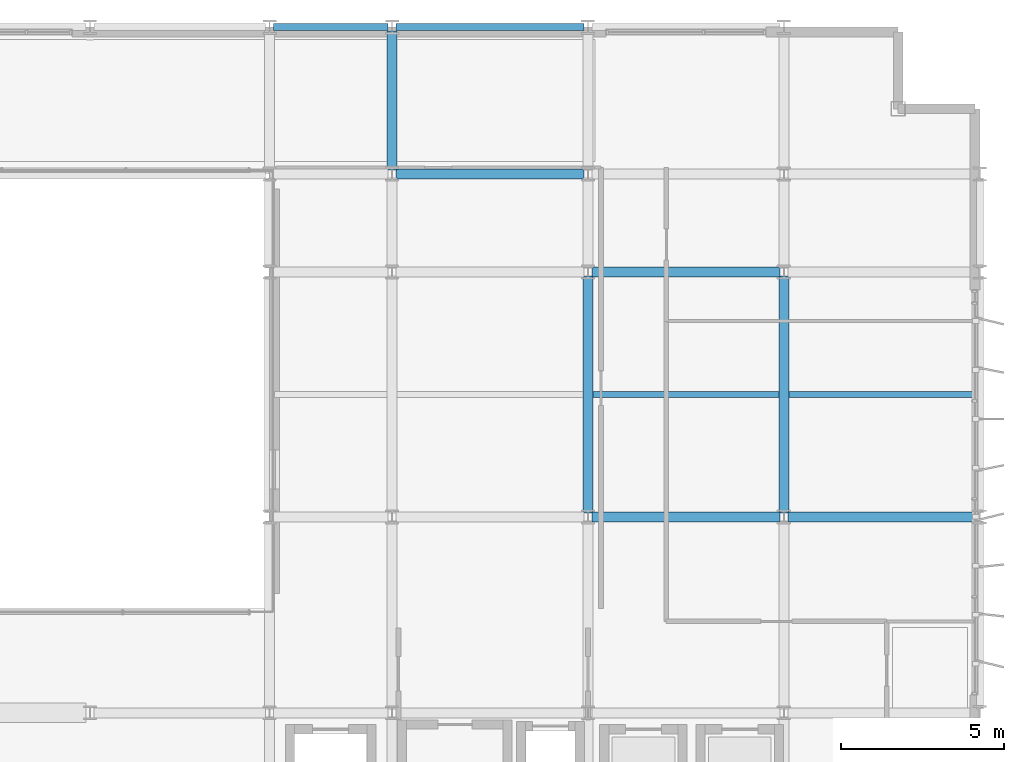
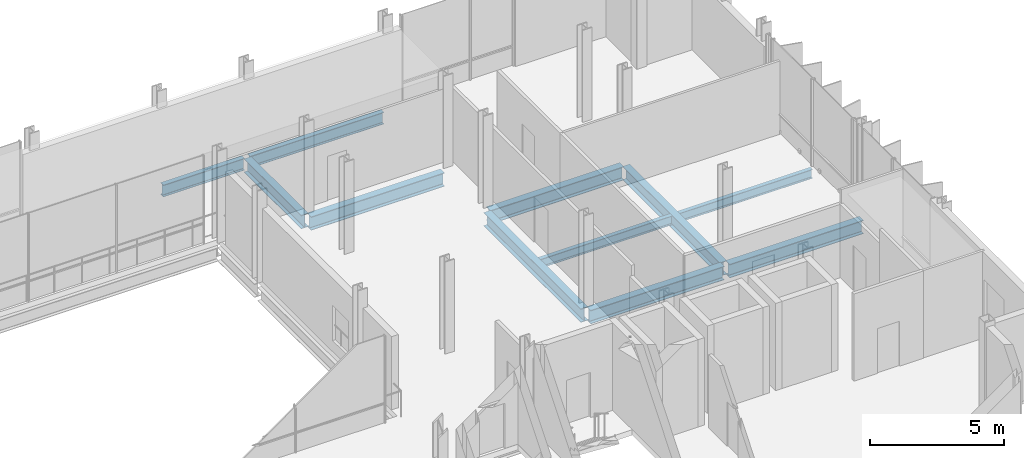
# One storey, part 18 of 32: 11 beams.
"""IFC4 building model written with IfcOpenShell, lengths in metres."""

from ifc_helpers import new_model, si_unit, direction, frame, origin, origin_2d, place, context, subcontext, project, spatial, i_section, extrude, material, material_profile, profile_set, type_object, element, save


model = new_model("IFC4")

# Units and contexts
model_context = context("Model", 3, precision=1e-05, world=origin(), true_north=direction((0.0, 1.0)))
body_context = subcontext(model_context, "Body", "Model", "MODEL_VIEW")
ifc_project = project(units=[si_unit("LENGTHUNIT", "METRE"), si_unit("AREAUNIT", "SQUARE_METRE"), si_unit("VOLUMEUNIT", "CUBIC_METRE"), si_unit("PLANEANGLEUNIT", "RADIAN"), si_unit("MASSUNIT", "GRAM", prefix="KILO")], contexts=[model_context])

# Site, building, storey
site_placement = place(None, origin())
site = spatial("IfcSite", under=ifc_project, at=site_placement, CompositionType="ELEMENT")
building_placement = place(site_placement, origin())
building = spatial("IfcBuilding", under=site, at=building_placement, Name="Brevholm Reach", CompositionType="ELEMENT")
storey_placement = place(building_placement, frame((0.0, 0.0, 134.5)))
storey = spatial("IfcBuildingStorey", under=building, at=storey_placement, Name="L40", CompositionType="ELEMENT", Elevation=134.5)

# Beams
ifc_material_1 = material(Name="Structural Steel S355J2", Category="steel")
ifc_material_profile_1 = material_profile(ifc_material_1, i_section(OverallWidth=0.177978515625, OverallDepth=0.406494140625, WebThickness=0.0078125, FlangeThickness=0.0126953125, FilletRadius=0.01025390625, at=origin_2d()), Name="UKB 406x178x60")
ifc_profile_set_1 = profile_set([ifc_material_profile_1], Name="Structural Steel S355J2")
beam_type_1 = type_object("IfcBeamType", Name="BM-B406", PredefinedType="BEAM", material=ifc_profile_set_1)
beam_1_placement = place(storey_placement, frame((48.153564453125, 19.75, -0.453125), z_axis=(1.0, 0.0, 0.0), x_axis=(0.0, 1.0, 0.0)))
element("IfcBeam", 1, at=beam_1_placement, inside=storey, type_object=beam_type_1, Name="L40 Composite Secondary Floor Beam", PredefinedType="BEAM", context=body_context, shape_type="SweptSolid", body=[
    extrude(i_section(OverallWidth=0.177978515625, OverallDepth=0.406494140625, WebThickness=0.0078125, FlangeThickness=0.0126953125, FilletRadius=0.01025390625, at=origin_2d()), origin(), (0.0, 0.0, 1.0), 5.69287109375),
])
beam_2_placement = place(storey_placement, frame((54.153564453125, 19.75, -0.453125), z_axis=(1.0, 0.0, 0.0), x_axis=(0.0, 1.0, 0.0)))
element("IfcBeam", 2, at=beam_2_placement, inside=storey, type_object=beam_type_1, Name="L40 Composite Secondary Floor Beam", PredefinedType="BEAM", context=body_context, shape_type="SweptSolid", body=[
    extrude(i_section(OverallWidth=0.177978515625, OverallDepth=0.406494140625, WebThickness=0.0078125, FlangeThickness=0.0126953125, FilletRadius=0.01025390625, at=origin_2d()), origin(), (0.0, 0.0, 1.0), 5.740966796875),
])
ifc_material_2 = material(Name="Structural Steel S355J2", Category="steel")
ifc_material_profile_2 = material_profile(ifc_material_2, i_section(OverallWidth=0.210693359375, OverallDepth=0.53955078125, WebThickness=0.01171875, FlangeThickness=0.018798828125, FilletRadius=0.0126953125, at=origin_2d()), Name="UKB 533x210x109")
ifc_profile_set_2 = profile_set([ifc_material_profile_2], Name="Structural Steel S355J2")
beam_type_2 = type_object("IfcBeamType", Name="BM-SP539", PredefinedType="SPANDREL", material=ifc_profile_set_2)
beam_3_placement = place(storey_placement, frame((38.3701171875, 31.0, -0.519775390625), z_axis=(1.0, 0.0, 0.0), x_axis=(0.0, 1.0, 0.0)))
element("IfcBeam", 3, at=beam_3_placement, inside=storey, type_object=beam_type_2, Name="L40 SP-01B Framing Beam", PredefinedType="SPANDREL", context=body_context, shape_type="SweptSolid", body=[
    extrude(i_section(OverallWidth=0.210693359375, OverallDepth=0.53955078125, WebThickness=0.01171875, FlangeThickness=0.018798828125, FilletRadius=0.0126953125, at=origin_2d()), origin(), (0.0, 0.0, 1.0), 3.509765625),
])
beam_4_placement = place(storey_placement, frame((42.1201171875, 31.0, -0.519775390625), z_axis=(1.0, 0.0, 0.0), x_axis=(0.0, 1.0, 0.0)))
element("IfcBeam", 4, at=beam_4_placement, inside=storey, type_object=beam_type_2, Name="L40 SP-01B Framing Beam", PredefinedType="SPANDREL", context=body_context, shape_type="SweptSolid", body=[
    extrude(i_section(OverallWidth=0.210693359375, OverallDepth=0.53955078125, WebThickness=0.01171875, FlangeThickness=0.018798828125, FilletRadius=0.0126953125, at=origin_2d()), origin(), (0.0, 0.0, 1.0), 5.759765625),
])
ifc_material_3 = material(Name="Structural Steel S355J2", Category="steel")
ifc_material_profile_3 = material_profile(ifc_material_3, i_section(OverallWidth=0.30712890625, OverallDepth=0.6201171875, WebThickness=0.01416015625, FlangeThickness=0.023681640625, FilletRadius=0.0166015625, at=origin_2d()), Name="UKB 610x305x179")
ifc_profile_set_3 = profile_set([ifc_material_profile_3], Name="Structural Steel S355J2")
beam_type_3 = type_object("IfcBeamType", Name="BM-UKB610H", PredefinedType="USERDEFINED", material=ifc_profile_set_3)
for number, where, z_axis, x_axis, name in (
    (5, (48.1201171875, 16.0, -0.56005859375), (1.0, 0.0, 0.0), (0.0, 1.0, 0.0), "L40 G-06 Framing Beam"),
    (6, (54.1201171875, 16.0, -0.56005859375), (1.0, 0.0, 0.0), (0.0, 1.0, 0.0), "L40 G-06 Framing Beam"),
    (7, (48.1201171875, 23.5, -0.56005859375), (1.0, 0.0, 0.0), (0.0, 1.0, 0.0), "L40 G-06 Framing Beam"),
    (8, (42.1201171875, 26.5, -0.56005859375), (1.0, 0.0, 0.0), (0.0, 1.0, 0.0), "L40 G-06 Framing Beam"),
):
    element("IfcBeam", number, at=place(storey_placement, frame(where, z_axis=z_axis, x_axis=x_axis)), inside=storey, type_object=beam_type_3, Name=name, ObjectType="GIRDER", PredefinedType="USERDEFINED", context=body_context, shape_type="SweptSolid", body=[
        extrude(i_section(OverallWidth=0.30712890625, OverallDepth=0.6201171875, WebThickness=0.01416015625, FlangeThickness=0.023681640625, FilletRadius=0.0166015625, at=origin_2d()), origin(), (0.0, 0.0, 1.0), 5.759765625),
    ])
beam_5_placement = place(storey_placement, frame((42.0, 26.6201171875, -0.56005859375), z_axis=(0.0, 1.0, 0.0), x_axis=(-1.0, 0.0, 0.0)))
element("IfcBeam", 9, at=beam_5_placement, inside=storey, type_object=beam_type_3, Name="L40 G-06 Framing Beam", ObjectType="GIRDER", PredefinedType="USERDEFINED", context=body_context, shape_type="SweptSolid", body=[
    extrude(i_section(OverallWidth=0.30712890625, OverallDepth=0.6201171875, WebThickness=0.01416015625, FlangeThickness=0.023681640625, FilletRadius=0.0166015625, at=origin_2d()), origin(), (0.0, 0.0, 1.0), 4.259765625),
])
for number, where, z_axis, x_axis, name in (
    (10, (48.0, 16.1201171875, -0.56005859375), (0.0, 1.0, 0.0), (-1.0, 0.0, 0.0), "L40 G-06 Framing Beam"),
    (11, (54.0, 16.1201171875, -0.56005859375), (0.0, 1.0, 0.0), (-1.0, 0.0, 0.0), "L40 G-06 Framing Beam"),
):
    element("IfcBeam", number, at=place(storey_placement, frame(where, z_axis=z_axis, x_axis=x_axis)), inside=storey, type_object=beam_type_3, Name=name, ObjectType="GIRDER", PredefinedType="USERDEFINED", context=body_context, shape_type="SweptSolid", body=[
        extrude(i_section(OverallWidth=0.30712890625, OverallDepth=0.6201171875, WebThickness=0.01416015625, FlangeThickness=0.023681640625, FilletRadius=0.0166015625, at=origin_2d()), origin(), (0.0, 0.0, 1.0), 7.259765625),
    ])

save(model, "model.ifc")
